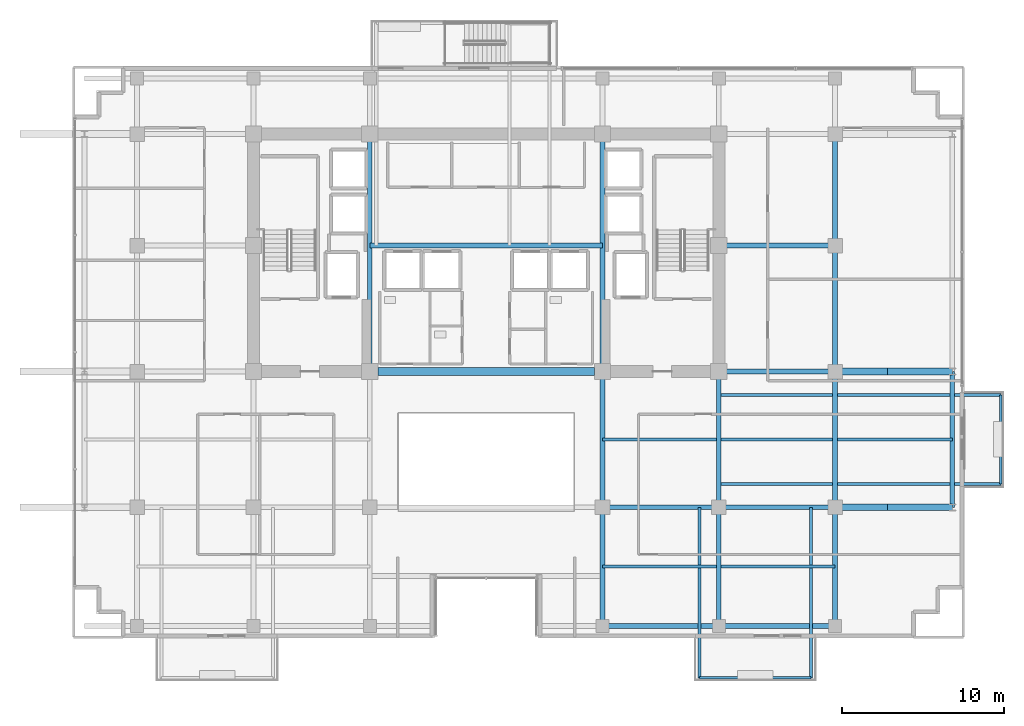
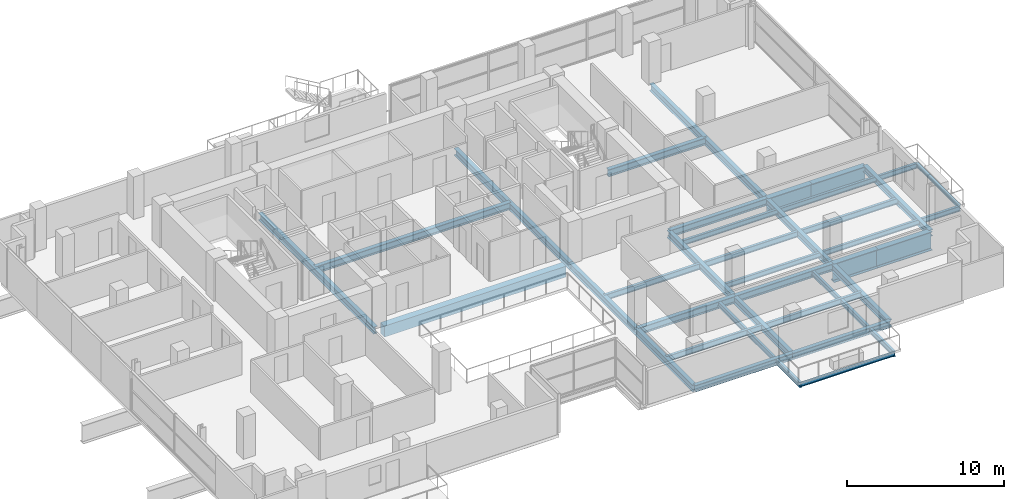
# One storey, part 10 of 27: 34 beams.
"""IFC4 building model written with IfcOpenShell, lengths in metres."""

from ifc_helpers import new_model, si_unit, direction, frame, origin, origin_2d, place, context, subcontext, project, spatial, rectangle, i_section, extrude, material, material_profile, profile_set, type_object, element, save


model = new_model("IFC4")

# Units and contexts
model_context = context("Model", 3, precision=1e-05, world=origin(), true_north=direction((0.0, 1.0)))
body_context = subcontext(model_context, "Body", "Model", "MODEL_VIEW")
ifc_project = project(units=[si_unit("LENGTHUNIT", "METRE"), si_unit("AREAUNIT", "SQUARE_METRE"), si_unit("VOLUMEUNIT", "CUBIC_METRE"), si_unit("PLANEANGLEUNIT", "RADIAN"), si_unit("MASSUNIT", "GRAM", prefix="KILO")], contexts=[model_context])

# Site, building, storey
site_placement = place(None, origin())
site = spatial("IfcSite", under=ifc_project, at=site_placement, CompositionType="ELEMENT")
building_placement = place(site_placement, origin())
building = spatial("IfcBuilding", under=site, at=building_placement, Name="Zarnakvel Exchange Tower", CompositionType="ELEMENT")
storey_placement = place(building_placement, frame((0.0, 0.0, 113.199951171875)))
storey = spatial("IfcBuildingStorey", under=building, at=storey_placement, Name="L31", CompositionType="ELEMENT", Elevation=113.199951171875)

# Beams
ifc_material_1 = material(Name="Steel S355", Category="steel")
ifc_material_profile_1 = material_profile(ifc_material_1, i_section(OverallWidth=0.18994140625, OverallDepth=0.449951171875, WebThickness=0.009521484375, FlangeThickness=0.0146484375, FilletRadius=0.02099609375, at=origin_2d()))
ifc_profile_set_1 = profile_set([ifc_material_profile_1], Name="Steel S355")
beam_type_1 = type_object("IfcBeamType", Name="B-05", PredefinedType="JOIST", material=ifc_profile_set_1)
for number, where, z_axis, x_axis, name in (
    (1, (7.199951171875, -13.27490234375, -0.449951171875), (1.0, 0.0, 0.0), (0.0, 1.0, 0.0), "L31 Composite Floor Secondary Joist"),
    (2, (14.550048828125, -13.27490234375, -0.449951171875), (1.0, 0.0, 0.0), (0.0, 1.0, 0.0), "L31 Composite Floor Secondary Joist"),
    (3, (7.199951171875, -5.39990234375, -0.449951171875), (1.0, 0.0, 0.0), (0.0, 1.0, 0.0), "L31 Composite Floor Secondary Joist"),
):
    element("IfcBeam", number, at=place(storey_placement, frame(where, z_axis=z_axis, x_axis=x_axis)), inside=storey, type_object=beam_type_1, Name=name, PredefinedType="JOIST", context=body_context, shape_type="SweptSolid", body=[
        extrude(i_section(OverallWidth=0.18994140625, OverallDepth=0.449951171875, WebThickness=0.009521484375, FlangeThickness=0.0146484375, FilletRadius=0.02099609375, at=origin_2d()), origin(), (0.0, 0.0, 1.0), 7.050048828125),
    ])
beam_1_placement = place(storey_placement, frame((14.550048828125, -5.39990234375, -0.449951171875), z_axis=(1.0, 0.0, 0.0), x_axis=(0.0, 1.0, 0.0)))
element("IfcBeam", 4, at=beam_1_placement, inside=storey, type_object=beam_type_1, Name="L31 Composite Floor Secondary Joist", PredefinedType="JOIST", context=body_context, shape_type="SweptSolid", body=[
    extrude(i_section(OverallWidth=0.18994140625, OverallDepth=0.449951171875, WebThickness=0.009521484375, FlangeThickness=0.0146484375, FilletRadius=0.02099609375, at=origin_2d()), origin(), (0.0, 0.0, 1.0), 6.89990234375),
])
beam_2_placement = place(storey_placement, frame((21.75, -5.39990234375, -0.449951171875), z_axis=(1.0, 0.0, 0.0), x_axis=(0.0, 1.0, 0.0)))
element("IfcBeam", 5, at=beam_2_placement, inside=storey, type_object=beam_type_1, Name="L31 Composite Floor Secondary Joist", PredefinedType="JOIST", context=body_context, shape_type="SweptSolid", body=[
    extrude(i_section(OverallWidth=0.18994140625, OverallDepth=0.449951171875, WebThickness=0.009521484375, FlangeThickness=0.0146484375, FilletRadius=0.02099609375, at=origin_2d()), origin(), (0.0, 0.0, 1.0), 7.10009765625),
])
ifc_material_profile_2 = material_profile(ifc_material_1, i_section(OverallWidth=0.179931640625, OverallDepth=0.39990234375, WebThickness=0.008544921875, FlangeThickness=0.013427734375, FilletRadius=0.02099609375, at=origin_2d()))
ifc_profile_set_2 = profile_set([ifc_material_profile_2], Name="Steel S355")
beam_type_2 = type_object("IfcBeamType", Name="B-06", PredefinedType="JOIST", material=ifc_profile_set_2)
for number, where, z_axis, x_axis, name in (
    (6, (13.199951171875, -9.60009765625, -0.425048828125), (0.0, -1.0, 0.0), (1.0, 0.0, 0.0), "L31 Continuous Back-Spanned Balcony Beam W"),
    (7, (20.10009765625, -9.60009765625, -0.425048828125), (0.0, -1.0, 0.0), (1.0, 0.0, 0.0), "L31 Continuous Back-Spanned Balcony Beam E"),
):
    element("IfcBeam", number, at=place(storey_placement, frame(where, z_axis=z_axis, x_axis=x_axis)), inside=storey, type_object=beam_type_2, Name=name, PredefinedType="JOIST", context=body_context, shape_type="SweptSolid", body=[
        extrude(i_section(OverallWidth=0.179931640625, OverallDepth=0.39990234375, WebThickness=0.008544921875, FlangeThickness=0.013427734375, FilletRadius=0.02099609375, at=origin_2d()), origin(), (0.0, 0.0, 1.0), 10.5498046875),
    ])
for number, where, z_axis, x_axis, name in (
    (8, (14.39990234375, -8.14990234375, -0.425048828125), (1.0, 0.0, 0.0), (0.0, 1.0, 0.0), "L31 Continuous East Loggia Beam S"),
    (9, (14.39990234375, -2.64990234375, -0.425048828125), (1.0, 0.0, 0.0), (0.0, 1.0, 0.0), "L31 Continuous East Loggia Beam N"),
):
    element("IfcBeam", number, at=place(storey_placement, frame(where, z_axis=z_axis, x_axis=x_axis)), inside=storey, type_object=beam_type_2, Name=name, PredefinedType="JOIST", context=body_context, shape_type="SweptSolid", body=[
        extrude(i_section(OverallWidth=0.179931640625, OverallDepth=0.39990234375, WebThickness=0.008544921875, FlangeThickness=0.013427734375, FilletRadius=0.02099609375, at=origin_2d()), origin(), (0.0, 0.0, 1.0), 17.4501953125),
    ])
ifc_material_profile_3 = material_profile(ifc_material_1, i_section(OverallWidth=0.14990234375, OverallDepth=0.300048828125, WebThickness=0.007080078125, FlangeThickness=0.0107421875, FilletRadius=0.014892578125, at=origin_2d()))
ifc_profile_set_3 = profile_set([ifc_material_profile_3], Name="Steel S355")
beam_type_3 = type_object("IfcBeamType", Name="B-08", PredefinedType="JOIST", material=ifc_profile_set_3)
beam_3_placement = place(storey_placement, frame((13.199951171875, -20.14990234375, -0.375), z_axis=(1.0, 0.0, 0.0), x_axis=(0.0, 1.0, 0.0)))
element("IfcBeam", 10, at=beam_3_placement, inside=storey, type_object=beam_type_3, Name="L31 Balcony Edge Beam", PredefinedType="JOIST", context=body_context, shape_type="SweptSolid", body=[
    extrude(i_section(OverallWidth=0.14990234375, OverallDepth=0.300048828125, WebThickness=0.007080078125, FlangeThickness=0.0107421875, FilletRadius=0.014892578125, at=origin_2d()), origin(), (0.0, 0.0, 1.0), 6.900146484375),
])
beam_4_placement = place(storey_placement, frame((31.85009765625, -8.14990234375, -0.375), z_axis=(0.0, 1.0, 0.0), x_axis=(-1.0, 0.0, 0.0)))
element("IfcBeam", 11, at=beam_4_placement, inside=storey, type_object=beam_type_3, Name="L31 East Loggia Edge Beam", PredefinedType="JOIST", context=body_context, shape_type="SweptSolid", body=[
    extrude(i_section(OverallWidth=0.14990234375, OverallDepth=0.300048828125, WebThickness=0.007080078125, FlangeThickness=0.0107421875, FilletRadius=0.014892578125, at=origin_2d()), origin(), (0.0, 0.0, 1.0), 5.5),
])
ifc_material_2 = material(Name="Concrete C60/75", Category="concrete")
ifc_material_profile_4 = material_profile(ifc_material_2, rectangle(XDim=0.5, YDim=0.85009765625, at=origin_2d()))
ifc_profile_set_4 = profile_set([ifc_material_profile_4], Name="Concrete C60/75")
beam_type_4 = type_object("IfcBeamType", Name="CB-02", PredefinedType="LINTEL", material=ifc_profile_set_4)
beam_5_placement = place(storey_placement, frame((-6.699951171875, -1.199951171875, -0.64990234375), z_axis=(1.0, 0.0, 0.0), x_axis=(0.0, 1.0, 0.0)))
element("IfcBeam", 12, at=beam_5_placement, inside=storey, type_object=beam_type_4, Name="L31 Rear Core South Coupling Beam (CB-02)", PredefinedType="LINTEL", context=body_context, shape_type="SweptSolid", body=[
    extrude(rectangle(XDim=0.5, YDim=0.85009765625, at=origin_2d()), origin(), (0.0, 0.0, 1.0), 13.39990234375),
])
ifc_material_profile_5 = material_profile(ifc_material_1, i_section(OverallWidth=0.300048828125, OverallDepth=0.550048828125, WebThickness=0.014892578125, FlangeThickness=0.029052734375, FilletRadius=0.027099609375, at=origin_2d()))
ifc_profile_set_5 = profile_set([ifc_material_profile_5], Name="Steel S355")
beam_type_5 = type_object("IfcBeamType", Name="G-05", PredefinedType="BEAM", material=ifc_profile_set_5)
beam_6_placement = place(storey_placement, frame((7.199951171875, -9.60009765625, -0.5), z_axis=(1.0, 0.0, 0.0), x_axis=(0.0, 1.0, 0.0)))
element("IfcBeam", 13, at=beam_6_placement, inside=storey, type_object=beam_type_5, Name="L31 Tower E-W Frame Beam", PredefinedType="BEAM", context=body_context, shape_type="SweptSolid", body=[
    extrude(i_section(OverallWidth=0.300048828125, OverallDepth=0.550048828125, WebThickness=0.014892578125, FlangeThickness=0.029052734375, FilletRadius=0.027099609375, at=origin_2d()), origin(), (0.0, 0.0, 1.0), 7.199951171875),
])
for number, where, z_axis, x_axis, name in (
    (14, (14.39990234375, -9.60009765625, -0.5), (1.0, 0.0, 0.0), (0.0, 1.0, 0.0), "L31 Tower E-W Frame Beam"),
    (15, (14.39990234375, -1.199951171875, -0.5), (1.0, 0.0, 0.0), (0.0, 1.0, 0.0), "L31 Tower E-W Frame Beam"),
    (16, (14.39990234375, 6.60009765625, -0.5), (1.0, 0.0, 0.0), (0.0, 1.0, 0.0), "L31 Tower E-W Frame Beam"),
):
    element("IfcBeam", number, at=place(storey_placement, frame(where, z_axis=z_axis, x_axis=x_axis)), inside=storey, type_object=beam_type_5, Name=name, PredefinedType="BEAM", context=body_context, shape_type="SweptSolid", body=[
        extrude(i_section(OverallWidth=0.300048828125, OverallDepth=0.550048828125, WebThickness=0.014892578125, FlangeThickness=0.029052734375, FilletRadius=0.027099609375, at=origin_2d()), origin(), (0.0, 0.0, 1.0), 7.2001953125),
    ])
beam_7_placement = place(storey_placement, frame((-7.199951171875, -1.199951171875, -0.5), z_axis=(0.0, 1.0, 0.0), x_axis=(-1.0, 0.0, 0.0)))
element("IfcBeam", 17, at=beam_7_placement, inside=storey, type_object=beam_type_5, Name="L31 Tower N-S Frame Beam", PredefinedType="BEAM", context=body_context, shape_type="SweptSolid", body=[
    extrude(i_section(OverallWidth=0.300048828125, OverallDepth=0.550048828125, WebThickness=0.014892578125, FlangeThickness=0.029052734375, FilletRadius=0.027099609375, at=origin_2d()), origin(), (0.0, 0.0, 1.0), 14.699951171875),
])
beam_8_placement = place(storey_placement, frame((7.199951171875, -16.949951171875, -0.5), z_axis=(0.0, 1.0, 0.0), x_axis=(-1.0, 0.0, 0.0)))
element("IfcBeam", 18, at=beam_8_placement, inside=storey, type_object=beam_type_5, Name="L31 Tower N-S Frame Beam", PredefinedType="BEAM", context=body_context, shape_type="SweptSolid", body=[
    extrude(i_section(OverallWidth=0.300048828125, OverallDepth=0.550048828125, WebThickness=0.014892578125, FlangeThickness=0.029052734375, FilletRadius=0.027099609375, at=origin_2d()), origin(), (0.0, 0.0, 1.0), 7.349853515625),
])
beam_9_placement = place(storey_placement, frame((7.199951171875, -9.60009765625, -0.5), z_axis=(0.0, 1.0, 0.0), x_axis=(-1.0, 0.0, 0.0)))
element("IfcBeam", 19, at=beam_9_placement, inside=storey, type_object=beam_type_5, Name="L31 Tower N-S Frame Beam", PredefinedType="BEAM", context=body_context, shape_type="SweptSolid", body=[
    extrude(i_section(OverallWidth=0.300048828125, OverallDepth=0.550048828125, WebThickness=0.014892578125, FlangeThickness=0.029052734375, FilletRadius=0.027099609375, at=origin_2d()), origin(), (0.0, 0.0, 1.0), 8.400146484375),
])
beam_10_placement = place(storey_placement, frame((7.199951171875, -1.199951171875, -0.5), z_axis=(0.0, 1.0, 0.0), x_axis=(-1.0, 0.0, 0.0)))
element("IfcBeam", 20, at=beam_10_placement, inside=storey, type_object=beam_type_5, Name="L31 Tower N-S Frame Beam", PredefinedType="BEAM", context=body_context, shape_type="SweptSolid", body=[
    extrude(i_section(OverallWidth=0.300048828125, OverallDepth=0.550048828125, WebThickness=0.014892578125, FlangeThickness=0.029052734375, FilletRadius=0.027099609375, at=origin_2d()), origin(), (0.0, 0.0, 1.0), 14.699951171875),
])
beam_11_placement = place(storey_placement, frame((14.39990234375, -16.949951171875, -0.5), z_axis=(0.0, 1.0, 0.0), x_axis=(-1.0, 0.0, 0.0)))
element("IfcBeam", 21, at=beam_11_placement, inside=storey, type_object=beam_type_5, Name="L31 Tower N-S Frame Beam", PredefinedType="BEAM", context=body_context, shape_type="SweptSolid", body=[
    extrude(i_section(OverallWidth=0.300048828125, OverallDepth=0.550048828125, WebThickness=0.014892578125, FlangeThickness=0.029052734375, FilletRadius=0.027099609375, at=origin_2d()), origin(), (0.0, 0.0, 1.0), 7.349853515625),
])
beam_12_placement = place(storey_placement, frame((14.39990234375, -9.60009765625, -0.5), z_axis=(0.0, 1.0, 0.0), x_axis=(-1.0, 0.0, 0.0)))
element("IfcBeam", 22, at=beam_12_placement, inside=storey, type_object=beam_type_5, Name="L31 Tower N-S Frame Beam", PredefinedType="BEAM", context=body_context, shape_type="SweptSolid", body=[
    extrude(i_section(OverallWidth=0.300048828125, OverallDepth=0.550048828125, WebThickness=0.014892578125, FlangeThickness=0.029052734375, FilletRadius=0.027099609375, at=origin_2d()), origin(), (0.0, 0.0, 1.0), 8.400146484375),
])
beam_13_placement = place(storey_placement, frame((21.60009765625, -16.949951171875, -0.5), z_axis=(0.0, 1.0, 0.0), x_axis=(-1.0, 0.0, 0.0)))
element("IfcBeam", 23, at=beam_13_placement, inside=storey, type_object=beam_type_5, Name="L31 Tower N-S Frame Beam", PredefinedType="BEAM", context=body_context, shape_type="SweptSolid", body=[
    extrude(i_section(OverallWidth=0.300048828125, OverallDepth=0.550048828125, WebThickness=0.014892578125, FlangeThickness=0.029052734375, FilletRadius=0.027099609375, at=origin_2d()), origin(), (0.0, 0.0, 1.0), 7.349853515625),
])
beam_14_placement = place(storey_placement, frame((21.60009765625, -9.60009765625, -0.5), z_axis=(0.0, 1.0, 0.0), x_axis=(-1.0, 0.0, 0.0)))
element("IfcBeam", 24, at=beam_14_placement, inside=storey, type_object=beam_type_5, Name="L31 Tower N-S Frame Beam", PredefinedType="BEAM", context=body_context, shape_type="SweptSolid", body=[
    extrude(i_section(OverallWidth=0.300048828125, OverallDepth=0.550048828125, WebThickness=0.014892578125, FlangeThickness=0.029052734375, FilletRadius=0.027099609375, at=origin_2d()), origin(), (0.0, 0.0, 1.0), 8.400146484375),
])
beam_15_placement = place(storey_placement, frame((21.60009765625, -1.199951171875, -0.5), z_axis=(0.0, 1.0, 0.0), x_axis=(-1.0, 0.0, 0.0)))
element("IfcBeam", 25, at=beam_15_placement, inside=storey, type_object=beam_type_5, Name="L31 Tower N-S Frame Beam", PredefinedType="BEAM", context=body_context, shape_type="SweptSolid", body=[
    extrude(i_section(OverallWidth=0.300048828125, OverallDepth=0.550048828125, WebThickness=0.014892578125, FlangeThickness=0.029052734375, FilletRadius=0.027099609375, at=origin_2d()), origin(), (0.0, 0.0, 1.0), 7.800048828125),
])
beam_16_placement = place(storey_placement, frame((21.60009765625, 6.60009765625, -0.5), z_axis=(0.0, 1.0, 0.0), x_axis=(-1.0, 0.0, 0.0)))
element("IfcBeam", 26, at=beam_16_placement, inside=storey, type_object=beam_type_5, Name="L31 Tower N-S Frame Beam", PredefinedType="BEAM", context=body_context, shape_type="SweptSolid", body=[
    extrude(i_section(OverallWidth=0.300048828125, OverallDepth=0.550048828125, WebThickness=0.014892578125, FlangeThickness=0.029052734375, FilletRadius=0.027099609375, at=origin_2d()), origin(), (0.0, 0.0, 1.0), 6.89990234375),
])
beam_17_placement = place(storey_placement, frame((-7.199951171875, 6.60009765625, -0.5), z_axis=(1.0, 0.0, 0.0), x_axis=(0.0, 1.0, 0.0)))
element("IfcBeam", 27, at=beam_17_placement, inside=storey, type_object=beam_type_5, Name="L31 Core Central Lobby Mid Girder", PredefinedType="BEAM", context=body_context, shape_type="SweptSolid", body=[
    extrude(i_section(OverallWidth=0.300048828125, OverallDepth=0.550048828125, WebThickness=0.014892578125, FlangeThickness=0.029052734375, FilletRadius=0.027099609375, at=origin_2d()), origin(), (0.0, 0.0, 1.0), 14.39990234375),
])
ifc_material_profile_6 = material_profile(ifc_material_1, i_section(OverallWidth=0.300048828125, OverallDepth=0.5, WebThickness=0.014404296875, FlangeThickness=0.028076171875, FilletRadius=0.027099609375, at=origin_2d()))
ifc_profile_set_6 = profile_set([ifc_material_profile_6], Name="Steel S355")
beam_type_6 = type_object("IfcBeamType", Name="SP-02", PredefinedType="SPANDREL", material=ifc_profile_set_6)
beam_18_placement = place(storey_placement, frame((7.199951171875, -16.949951171875, -0.474853515625), z_axis=(1.0, 0.0, 0.0), x_axis=(0.0, 1.0, 0.0)))
element("IfcBeam", 28, at=beam_18_placement, inside=storey, type_object=beam_type_6, Name="L31 Tower E-W Frame Beam", PredefinedType="SPANDREL", context=body_context, shape_type="SweptSolid", body=[
    extrude(i_section(OverallWidth=0.300048828125, OverallDepth=0.5, WebThickness=0.014404296875, FlangeThickness=0.028076171875, FilletRadius=0.027099609375, at=origin_2d()), origin(), (0.0, 0.0, 1.0), 7.199951171875),
])
beam_19_placement = place(storey_placement, frame((14.39990234375, -16.949951171875, -0.474853515625), z_axis=(1.0, 0.0, 0.0), x_axis=(0.0, 1.0, 0.0)))
element("IfcBeam", 29, at=beam_19_placement, inside=storey, type_object=beam_type_6, Name="L31 Tower E-W Frame Beam", PredefinedType="SPANDREL", context=body_context, shape_type="SweptSolid", body=[
    extrude(i_section(OverallWidth=0.300048828125, OverallDepth=0.5, WebThickness=0.014404296875, FlangeThickness=0.028076171875, FilletRadius=0.027099609375, at=origin_2d()), origin(), (0.0, 0.0, 1.0), 7.2001953125),
])
beam_20_placement = place(storey_placement, frame((28.85009765625, -9.60009765625, -0.474853515625), z_axis=(0.0, 1.0, 0.0), x_axis=(-1.0, 0.0, 0.0)))
element("IfcBeam", 30, at=beam_20_placement, inside=storey, type_object=beam_type_6, Name="L31 Tower N-S Frame Beam", PredefinedType="SPANDREL", context=body_context, shape_type="SweptSolid", body=[
    extrude(i_section(OverallWidth=0.300048828125, OverallDepth=0.5, WebThickness=0.014404296875, FlangeThickness=0.028076171875, FilletRadius=0.027099609375, at=origin_2d()), origin(), (0.0, 0.0, 1.0), 8.400146484375),
])
ifc_material_3 = material(Name="Steel S460", Category="steel")
ifc_material_profile_7 = material_profile(ifc_material_3, i_section(OverallWidth=0.419921875, OverallDepth=1.449951171875, WebThickness=0.02392578125, FlangeThickness=0.0400390625, FilletRadius=0.030029296875, at=origin_2d()))
ifc_profile_set_7 = profile_set([ifc_material_profile_7], Name="Steel S460")
beam_type_7 = type_object("IfcBeamType", Name="TG-01", PredefinedType="BEAM", material=ifc_profile_set_7)
beam_21_placement = place(storey_placement, frame((21.60009765625, -9.60009765625, -0.949951171875), z_axis=(1.0, 0.0, 0.0), x_axis=(0.0, 1.0, 0.0)))
element("IfcBeam", 31, at=beam_21_placement, inside=storey, type_object=beam_type_7, Name="L31 Block-Shift Backspan Transfer TE-C", PredefinedType="BEAM", context=body_context, shape_type="SweptSolid", body=[
    extrude(i_section(OverallWidth=0.419921875, OverallDepth=1.449951171875, WebThickness=0.02392578125, FlangeThickness=0.0400390625, FilletRadius=0.030029296875, at=origin_2d()), origin(), (0.0, 0.0, 1.0), 3.25),
])
beam_22_placement = place(storey_placement, frame((24.85009765625, -9.60009765625, -0.949951171875), z_axis=(1.0, 0.0, 0.0), x_axis=(0.0, 1.0, 0.0)))
element("IfcBeam", 32, at=beam_22_placement, inside=storey, type_object=beam_type_7, Name="L31 Block-Shift Cantilever Transfer TE-C", PredefinedType="BEAM", context=body_context, shape_type="SweptSolid", body=[
    extrude(i_section(OverallWidth=0.419921875, OverallDepth=1.449951171875, WebThickness=0.02392578125, FlangeThickness=0.0400390625, FilletRadius=0.030029296875, at=origin_2d()), origin(), (0.0, 0.0, 1.0), 4.0),
])
beam_23_placement = place(storey_placement, frame((21.60009765625, -1.199951171875, -0.949951171875), z_axis=(1.0, 0.0, 0.0), x_axis=(0.0, 1.0, 0.0)))
element("IfcBeam", 33, at=beam_23_placement, inside=storey, type_object=beam_type_7, Name="L31 Block-Shift Backspan Transfer TE-D", PredefinedType="BEAM", context=body_context, shape_type="SweptSolid", body=[
    extrude(i_section(OverallWidth=0.419921875, OverallDepth=1.449951171875, WebThickness=0.02392578125, FlangeThickness=0.0400390625, FilletRadius=0.030029296875, at=origin_2d()), origin(), (0.0, 0.0, 1.0), 3.25),
])
beam_24_placement = place(storey_placement, frame((24.85009765625, -1.199951171875, -0.949951171875), z_axis=(1.0, 0.0, 0.0), x_axis=(0.0, 1.0, 0.0)))
element("IfcBeam", 34, at=beam_24_placement, inside=storey, type_object=beam_type_7, Name="L31 Block-Shift Cantilever Transfer TE-D", PredefinedType="BEAM", context=body_context, shape_type="SweptSolid", body=[
    extrude(i_section(OverallWidth=0.419921875, OverallDepth=1.449951171875, WebThickness=0.02392578125, FlangeThickness=0.0400390625, FilletRadius=0.030029296875, at=origin_2d()), origin(), (0.0, 0.0, 1.0), 4.0),
])

save(model, "model.ifc")
